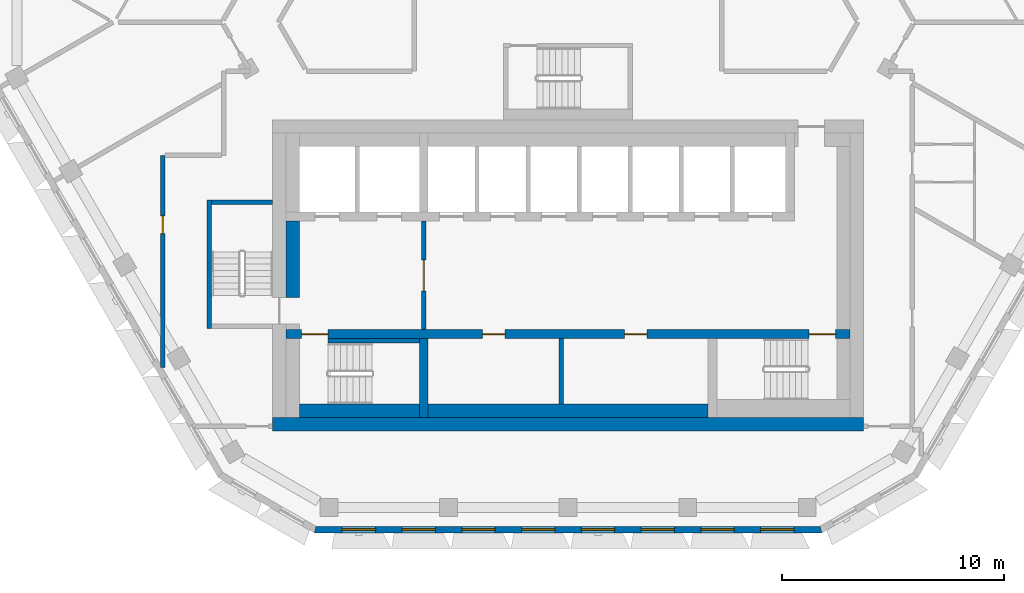
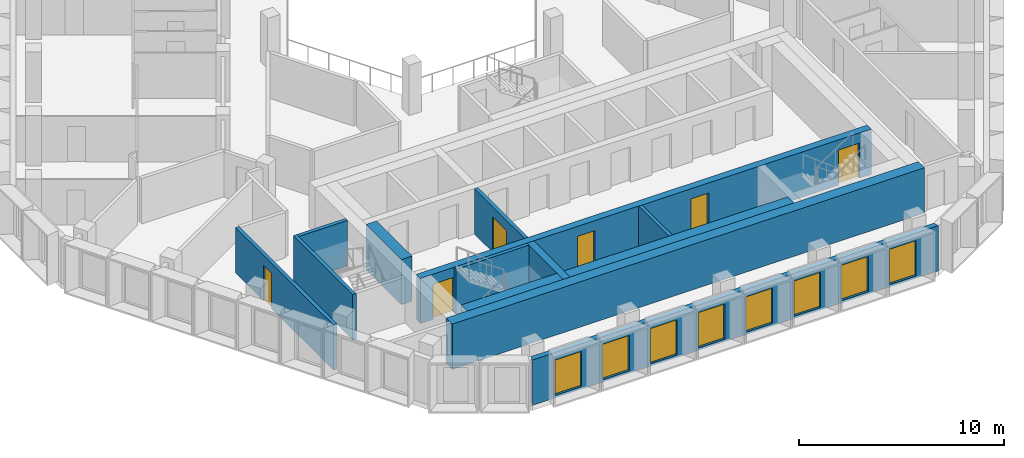
# One storey, part 3 of 17: 13 walls, 8 windows, 6 doors, 14 openings.
"""IFC4 building model written with IfcOpenShell, lengths in metres."""

from ifc_helpers import new_model, si_unit, direction, frame, frame_2d, origin, place, context, subcontext, project, spatial, polyline, rectangle, outline, extrude, material, layer, layer_set, type_object, element, fill, save


model = new_model("IFC4")

# Units and contexts
model_context = context("Model", 3, precision=1e-05, world=origin(), true_north=direction((0.0, 1.0)))
body_context = subcontext(model_context, "Body", "Model", "MODEL_VIEW")
ifc_project = project(units=[si_unit("LENGTHUNIT", "METRE"), si_unit("AREAUNIT", "SQUARE_METRE"), si_unit("VOLUMEUNIT", "CUBIC_METRE"), si_unit("PLANEANGLEUNIT", "RADIAN"), si_unit("MASSUNIT", "GRAM", prefix="KILO")], contexts=[model_context])

# Site, building, storey
site_placement = place(None, origin())
site = spatial("IfcSite", under=ifc_project, at=site_placement, CompositionType="ELEMENT")
building_placement = place(site_placement, origin())
building = spatial("IfcBuilding", under=site, at=building_placement, Name="Beryl Residences", CompositionType="ELEMENT")
storey_placement = place(building_placement, frame((0.0, 0.0, 178.199951171875)))
storey = spatial("IfcBuildingStorey", under=building, at=storey_placement, Name="L54", CompositionType="ELEMENT", Elevation=178.199951171875)

# Wall, openings, windows
ifc_material_1 = material(Name="Composite metal panel with mineral wool insulation")
ifc_layer_1 = layer(ifc_material_1, 0.300048828125)
ifc_layer_set_1 = layer_set([ifc_layer_1], Name="ES1 pale metal composite panel wall 300 mm")
wall_type_1 = type_object("IfcWallType", Name="ES1 pale metal composite panel wall 300 mm", PredefinedType="SOLIDWALL", material=ifc_layer_set_1)
wall_1_placement = place(storey_placement, frame((-11.430908203125, -23.449951171875, 0.0), z_axis=(0.0, 0.0, 1.0), x_axis=(1.0, 0.0, 0.0)))
wall_1 = element("IfcWall", 1, at=wall_1_placement, inside=storey, type_object=wall_type_1, Name="ES1 external wall L54 S", PredefinedType="SOLIDWALL", context=body_context, shape_type="SweptSolid", body=[
    extrude(outline(polyline([(0.0, -0.14990234375), (22.86181640625, -0.14990234375), (22.781494140625, 0.14990234375), (0.080322265625, 0.14990234375), (0.0, -0.14990234375)])), origin(), (0.0, 0.0, 1.0), 2.699951171875),
])
opening_1_placement = place(wall_1_placement, frame((1.260009765625, 0.0, 0.14990234375)))
opening_1 = element("IfcOpeningElement", 2, at=opening_1_placement, cuts=wall_1, Name="Opening W1", PredefinedType="OPENING", context=body_context, shape_type="SweptSolid", body=[
    extrude(rectangle(XDim=1.5, YDim=2.10009765625, at=frame_2d((0.75, 1.050048828125))), frame((0.0, 0.159912109375, 0.0), z_axis=(0.0, -1.0, 0.0), x_axis=(1.0, 0.0, 0.0)), (0.0, 0.0, 1.0), 0.320068359375),
])
opening_2_placement = place(wall_1_placement, frame((3.951904296875, 0.0, 0.14990234375)))
opening_2 = element("IfcOpeningElement", 3, at=opening_2_placement, cuts=wall_1, Name="Opening W1", PredefinedType="OPENING", context=body_context, shape_type="SweptSolid", body=[
    extrude(rectangle(XDim=1.5, YDim=2.10009765625, at=frame_2d((0.75, 1.050048828125))), frame((0.0, 0.159912109375, 0.0), z_axis=(0.0, -1.0, 0.0), x_axis=(1.0, 0.0, 0.0)), (0.0, 0.0, 1.0), 0.320068359375),
])
opening_3_placement = place(wall_1_placement, frame((6.64404296875, 0.0, 0.14990234375)))
opening_3 = element("IfcOpeningElement", 4, at=opening_3_placement, cuts=wall_1, Name="Opening W1", PredefinedType="OPENING", context=body_context, shape_type="SweptSolid", body=[
    extrude(rectangle(XDim=1.5, YDim=2.10009765625, at=frame_2d((0.75, 1.050048828125))), frame((0.0, 0.159912109375, 0.0), z_axis=(0.0, -1.0, 0.0), x_axis=(1.0, 0.0, 0.0)), (0.0, 0.0, 1.0), 0.320068359375),
])
opening_4_placement = place(wall_1_placement, frame((9.3359375, 0.0, 0.14990234375)))
opening_4 = element("IfcOpeningElement", 5, at=opening_4_placement, cuts=wall_1, Name="Opening W1", PredefinedType="OPENING", context=body_context, shape_type="SweptSolid", body=[
    extrude(rectangle(XDim=1.5, YDim=2.10009765625, at=frame_2d((0.75, 1.050048828125))), frame((0.0, 0.159912109375, 0.0), z_axis=(0.0, -1.0, 0.0), x_axis=(1.0, 0.0, 0.0)), (0.0, 0.0, 1.0), 0.320068359375),
])
opening_5_placement = place(wall_1_placement, frame((12.028076171875, 0.0, 0.14990234375)))
opening_5 = element("IfcOpeningElement", 6, at=opening_5_placement, cuts=wall_1, Name="Opening W1", PredefinedType="OPENING", context=body_context, shape_type="SweptSolid", body=[
    extrude(rectangle(XDim=1.5, YDim=2.10009765625, at=frame_2d((0.75, 1.050048828125))), frame((0.0, 0.159912109375, 0.0), z_axis=(0.0, -1.0, 0.0), x_axis=(1.0, 0.0, 0.0)), (0.0, 0.0, 1.0), 0.320068359375),
])
opening_6_placement = place(wall_1_placement, frame((14.719970703125, 0.0, 0.14990234375)))
opening_6 = element("IfcOpeningElement", 7, at=opening_6_placement, cuts=wall_1, Name="Opening W1", PredefinedType="OPENING", context=body_context, shape_type="SweptSolid", body=[
    extrude(rectangle(XDim=1.5, YDim=2.10009765625, at=frame_2d((0.75, 1.050048828125))), frame((0.0, 0.159912109375, 0.0), z_axis=(0.0, -1.0, 0.0), x_axis=(1.0, 0.0, 0.0)), (0.0, 0.0, 1.0), 0.320068359375),
])
opening_7_placement = place(wall_1_placement, frame((17.412109375, 0.0, 0.14990234375)))
opening_7 = element("IfcOpeningElement", 8, at=opening_7_placement, cuts=wall_1, Name="Opening W1", PredefinedType="OPENING", context=body_context, shape_type="SweptSolid", body=[
    extrude(rectangle(XDim=1.5, YDim=2.10009765625, at=frame_2d((0.75, 1.050048828125))), frame((0.0, 0.159912109375, 0.0), z_axis=(0.0, -1.0, 0.0), x_axis=(1.0, 0.0, 0.0)), (0.0, 0.0, 1.0), 0.320068359375),
])
opening_8_placement = place(wall_1_placement, frame((20.10400390625, 0.0, 0.14990234375)))
opening_8 = element("IfcOpeningElement", 9, at=opening_8_placement, cuts=wall_1, Name="Opening W1", PredefinedType="OPENING", context=body_context, shape_type="SweptSolid", body=[
    extrude(rectangle(XDim=1.5, YDim=2.10009765625, at=frame_2d((0.75, 1.050048828125))), frame((0.0, 0.159912109375, 0.0), z_axis=(0.0, -1.0, 0.0), x_axis=(1.0, 0.0, 0.0)), (0.0, 0.0, 1.0), 0.320068359375),
])
ifc_material_2 = material(Name="Aluminium and clear glass", Category="aluminium")
window_type = type_object("IfcWindowType", Name="W1 cell window 1500 x 2100 mm", PartitioningType="SINGLE_PANEL", PredefinedType="WINDOW", material=ifc_material_2)
window_1_placement = place(opening_1_placement, origin())
window_1 = element("IfcWindow", 10, at=window_1_placement, inside=storey, type_object=window_type, Name="W1 window L54 S 1", OverallHeight=2.10009765625, OverallWidth=1.5, PartitioningType="SINGLE_PANEL", PredefinedType="WINDOW", context=body_context, shape_type="SweptSolid", body=[
    extrude(rectangle(XDim=1.5, YDim=2.10009765625, at=frame_2d((0.75, 1.050048828125))), frame((0.0, 0.030029296875, 0.0), z_axis=(0.0, -1.0, 0.0), x_axis=(1.0, 0.0, 0.0)), (0.0, 0.0, 1.0), 0.06005859375),
])
fill(opening_1, window_1)
window_2_placement = place(opening_2_placement, origin())
window_2 = element("IfcWindow", 11, at=window_2_placement, inside=storey, type_object=window_type, Name="W1 window L54 S 2", OverallHeight=2.10009765625, OverallWidth=1.5, PartitioningType="SINGLE_PANEL", PredefinedType="WINDOW", context=body_context, shape_type="SweptSolid", body=[
    extrude(rectangle(XDim=1.5, YDim=2.10009765625, at=frame_2d((0.75, 1.050048828125))), frame((0.0, 0.030029296875, 0.0), z_axis=(0.0, -1.0, 0.0), x_axis=(1.0, 0.0, 0.0)), (0.0, 0.0, 1.0), 0.06005859375),
])
fill(opening_2, window_2)
window_3_placement = place(opening_3_placement, origin())
window_3 = element("IfcWindow", 12, at=window_3_placement, inside=storey, type_object=window_type, Name="W1 window L54 S 3", OverallHeight=2.10009765625, OverallWidth=1.5, PartitioningType="SINGLE_PANEL", PredefinedType="WINDOW", context=body_context, shape_type="SweptSolid", body=[
    extrude(rectangle(XDim=1.5, YDim=2.10009765625, at=frame_2d((0.75, 1.050048828125))), frame((0.0, 0.030029296875, 0.0), z_axis=(0.0, -1.0, 0.0), x_axis=(1.0, 0.0, 0.0)), (0.0, 0.0, 1.0), 0.06005859375),
])
fill(opening_3, window_3)
window_4_placement = place(opening_4_placement, origin())
window_4 = element("IfcWindow", 13, at=window_4_placement, inside=storey, type_object=window_type, Name="W1 window L54 S 4", OverallHeight=2.10009765625, OverallWidth=1.5, PartitioningType="SINGLE_PANEL", PredefinedType="WINDOW", context=body_context, shape_type="SweptSolid", body=[
    extrude(rectangle(XDim=1.5, YDim=2.10009765625, at=frame_2d((0.75, 1.050048828125))), frame((0.0, 0.030029296875, 0.0), z_axis=(0.0, -1.0, 0.0), x_axis=(1.0, 0.0, 0.0)), (0.0, 0.0, 1.0), 0.06005859375),
])
fill(opening_4, window_4)
window_5_placement = place(opening_5_placement, origin())
window_5 = element("IfcWindow", 14, at=window_5_placement, inside=storey, type_object=window_type, Name="W1 window L54 S 5", OverallHeight=2.10009765625, OverallWidth=1.5, PartitioningType="SINGLE_PANEL", PredefinedType="WINDOW", context=body_context, shape_type="SweptSolid", body=[
    extrude(rectangle(XDim=1.5, YDim=2.10009765625, at=frame_2d((0.75, 1.050048828125))), frame((0.0, 0.030029296875, 0.0), z_axis=(0.0, -1.0, 0.0), x_axis=(1.0, 0.0, 0.0)), (0.0, 0.0, 1.0), 0.06005859375),
])
fill(opening_5, window_5)
window_6_placement = place(opening_6_placement, origin())
window_6 = element("IfcWindow", 15, at=window_6_placement, inside=storey, type_object=window_type, Name="W1 window L54 S 6", OverallHeight=2.10009765625, OverallWidth=1.5, PartitioningType="SINGLE_PANEL", PredefinedType="WINDOW", context=body_context, shape_type="SweptSolid", body=[
    extrude(rectangle(XDim=1.5, YDim=2.10009765625, at=frame_2d((0.75, 1.050048828125))), frame((0.0, 0.030029296875, 0.0), z_axis=(0.0, -1.0, 0.0), x_axis=(1.0, 0.0, 0.0)), (0.0, 0.0, 1.0), 0.06005859375),
])
fill(opening_6, window_6)
window_7_placement = place(opening_7_placement, origin())
window_7 = element("IfcWindow", 16, at=window_7_placement, inside=storey, type_object=window_type, Name="W1 window L54 S 7", OverallHeight=2.10009765625, OverallWidth=1.5, PartitioningType="SINGLE_PANEL", PredefinedType="WINDOW", context=body_context, shape_type="SweptSolid", body=[
    extrude(rectangle(XDim=1.5, YDim=2.10009765625, at=frame_2d((0.75, 1.050048828125))), frame((0.0, 0.030029296875, 0.0), z_axis=(0.0, -1.0, 0.0), x_axis=(1.0, 0.0, 0.0)), (0.0, 0.0, 1.0), 0.06005859375),
])
fill(opening_7, window_7)
window_8_placement = place(opening_8_placement, origin())
window_8 = element("IfcWindow", 17, at=window_8_placement, inside=storey, type_object=window_type, Name="W1 window L54 S 8", OverallHeight=2.10009765625, OverallWidth=1.5, PartitioningType="SINGLE_PANEL", PredefinedType="WINDOW", context=body_context, shape_type="SweptSolid", body=[
    extrude(rectangle(XDim=1.5, YDim=2.10009765625, at=frame_2d((0.75, 1.050048828125))), frame((0.0, 0.030029296875, 0.0), z_axis=(0.0, -1.0, 0.0), x_axis=(1.0, 0.0, 0.0)), (0.0, 0.0, 1.0), 0.06005859375),
])
fill(opening_8, window_8)

# Wall, opening, door
ifc_material_3 = material(Name="Concrete masonry", Category="masonry")
ifc_layer_2 = layer(ifc_material_3, 0.199951171875)
ifc_layer_set_2 = layer_set([ifc_layer_2], Name="PT13 lobby wall 200 mm")
wall_type_2 = type_object("IfcWallType", Name="PT13 lobby wall 200 mm", PredefinedType="PARTITIONING", material=ifc_layer_set_2)
wall_2_placement = place(storey_placement, frame((-6.5, -14.449951171875, 0.0), z_axis=(0.0, 0.0, 1.0), x_axis=(0.0, 1.0, 0.0)))
wall_2 = element("IfcWall", 18, at=wall_2_placement, inside=storey, type_object=wall_type_2, Name="Lobby wall 12", PredefinedType="PARTITIONING", context=body_context, shape_type="SweptSolid", body=[
    extrude(rectangle(XDim=4.89990234375, YDim=0.199951171875, at=frame_2d((2.449951171875, 0.0))), origin(), (0.0, 0.0, 1.0), 2.699951171875),
])
opening_9_placement = place(wall_2_placement, frame((3.14990234375, 0.0, 0.0), z_axis=(0.0, 0.0, 1.0), x_axis=(-1.0, 0.0, 0.0)))
opening_9 = element("IfcOpeningElement", 19, at=opening_9_placement, cuts=wall_2, Name="Opening FD-FFL", PredefinedType="OPENING", context=body_context, shape_type="SweptSolid", body=[
    extrude(rectangle(XDim=1.39990234375, YDim=2.10009765625, at=frame_2d((0.699951171875, 1.050048828125))), frame((0.0, 0.10986328125, 0.0), z_axis=(0.0, -1.0, 0.0), x_axis=(1.0, 0.0, 0.0)), (0.0, 0.0, 1.0), 0.219970703125),
])
ifc_material_4 = material(Name="Steel door leaf in steel frame", Category="steel")
door_type_1 = type_object("IfcDoorType", Name="D5 lobby door 1400 x 2100 mm", OperationType="DOUBLE_DOOR_SINGLE_SWING", PredefinedType="DOOR", material=ifc_material_4)
door_1_placement = place(opening_9_placement, origin())
door_1 = element("IfcDoor", 20, at=door_1_placement, inside=storey, type_object=door_type_1, Name="Door FD-FFL L54 001", OperationType="DOUBLE_DOOR_SINGLE_SWING", OverallHeight=2.10009765625, OverallWidth=1.39990234375, PredefinedType="DOOR", context=body_context, shape_type="SweptSolid", body=[
    extrude(rectangle(XDim=1.39990234375, YDim=2.10009765625, at=frame_2d((0.699951171875, 1.050048828125))), frame((0.0, 0.02490234375, 0.0), z_axis=(0.0, -1.0, 0.0), x_axis=(1.0, 0.0, 0.0)), (0.0, 0.0, 1.0), 0.050048828125),
])
fill(opening_9, door_1)

# Wall
ifc_material_5 = material(Name="Concrete masonry", Category="masonry")
ifc_layer_3 = layer(ifc_material_5, 0.60009765625)
ifc_layer_set_3 = layer_set([ifc_layer_3], Name="PT13-600 lobby wall 600 mm")
wall_type_3 = type_object("IfcWallType", Name="PT13-600 lobby wall 600 mm", PredefinedType="PARTITIONING", material=ifc_layer_set_3)
wall_3_placement = place(storey_placement, frame((-12.39990234375, -13.0, 0.0), z_axis=(0.0, 0.0, 1.0), x_axis=(0.0, 1.0, 0.0)))
element("IfcWall", 21, at=wall_3_placement, inside=storey, type_object=wall_type_3, Name="Lobby wall 06", PredefinedType="PARTITIONING", context=body_context, shape_type="SweptSolid", body=[
    extrude(rectangle(XDim=3.449951171875, YDim=0.60009765625, at=frame_2d((1.72509765625, 0.0))), origin(), (0.0, 0.0, 1.0), 2.699951171875),
])

# Wall, opening, door
ifc_material_6 = material(Name="Double stud gypsum board wall")
ifc_layer_4 = layer(ifc_material_6, 0.199951171875)
ifc_layer_set_4 = layer_set([ifc_layer_4], Name="PT4 corridor wall 200 mm double stud")
wall_type_4 = type_object("IfcWallType", Name="PT4 corridor wall 200 mm double stud", PredefinedType="PARTITIONING", material=ifc_layer_set_4)
wall_4_placement = place(storey_placement, frame((-18.25, -16.152099609375, 0.0), z_axis=(0.0, 0.0, 1.0), x_axis=(0.0, 1.0, 0.0)))
wall_4 = element("IfcWall", 22, at=wall_4_placement, inside=storey, type_object=wall_type_4, Name="Wall PT4 L54 026", PredefinedType="PARTITIONING", context=body_context, shape_type="SweptSolid", body=[
    extrude(rectangle(XDim=9.551025390625, YDim=0.199951171875, at=frame_2d((4.775390625, 0.0))), origin(), (0.0, 0.0, 1.0), 2.699951171875),
])
opening_10_placement = place(wall_4_placement, frame((6.02587890625, 0.0, 0.0)))
opening_10 = element("IfcOpeningElement", 23, at=opening_10_placement, cuts=wall_4, Name="Opening D1419", PredefinedType="OPENING", context=body_context, shape_type="SweptSolid", body=[
    extrude(rectangle(XDim=0.800048828125, YDim=2.10009765625, at=frame_2d((0.39990234375, 1.050048828125))), frame((0.0, 0.10986328125, 0.0), z_axis=(0.0, -1.0, 0.0), x_axis=(1.0, 0.0, 0.0)), (0.0, 0.0, 1.0), 0.219970703125),
])
ifc_material_7 = material(Name="Timber door leaf", Category="wood")
door_type_2 = type_object("IfcDoorType", Name="D3 bathroom door 800 x 2100 mm", OperationType="SINGLE_SWING_LEFT", PredefinedType="DOOR", material=ifc_material_7)
door_2_placement = place(opening_10_placement, origin())
door_2 = element("IfcDoor", 24, at=door_2_placement, inside=storey, type_object=door_type_2, Name="Door D1419 L54 001", OperationType="SINGLE_SWING_LEFT", OverallHeight=2.10009765625, OverallWidth=0.800048828125, PredefinedType="DOOR", context=body_context, shape_type="SweptSolid", body=[
    extrude(rectangle(XDim=0.800048828125, YDim=2.10009765625, at=frame_2d((0.39990234375, 1.050048828125))), frame((0.0, 0.02490234375, 0.0), z_axis=(0.0, -1.0, 0.0), x_axis=(1.0, 0.0, 0.0)), (0.0, 0.0, 1.0), 0.050048828125),
])
fill(opening_10, door_2)

# Walls
ifc_material_8 = material(Name="Concrete C40/50", Category="concrete")
ifc_layer_5 = layer(ifc_material_8, 0.199951171875)
ifc_layer_set_5 = layer_set([ifc_layer_5], Name="PT5 stair enclosure wall 200 mm reinforced concrete C40/50")
wall_type_5 = type_object("IfcWallType", Name="PT5 stair enclosure wall 200 mm reinforced concrete C40/50", PredefinedType="SOLIDWALL", material=ifc_layer_set_5)
wall_5_placement = place(storey_placement, frame((-16.14990234375, -14.39990234375, 0.0), z_axis=(0.0, 0.0, 1.0), x_axis=(0.0, 1.0, 0.0)))
element("IfcWall", 25, at=wall_5_placement, inside=storey, type_object=wall_type_5, Name="Stair wall 01", PredefinedType="SOLIDWALL", context=body_context, shape_type="SweptSolid", body=[
    extrude(rectangle(XDim=5.7998046875, YDim=0.199951171875, at=frame_2d((2.89990234375, 0.0))), origin(), (0.0, 0.0, 1.0), 2.699951171875),
])
wall_6_placement = place(storey_placement, frame((-16.050048828125, -8.699951171875, 0.0), z_axis=(0.0, 0.0, 1.0), x_axis=(1.0, 0.0, 0.0)))
element("IfcWall", 26, at=wall_6_placement, inside=storey, type_object=wall_type_5, Name="Stair wall 03", PredefinedType="SOLIDWALL", context=body_context, shape_type="SweptSolid", body=[
    extrude(rectangle(XDim=2.75, YDim=0.199951171875, at=frame_2d((1.375, 0.0))), origin(), (0.0, 0.0, 1.0), 2.699951171875),
])
wall_7_placement = place(storey_placement, frame((-10.800048828125, -14.949951171875, 0.0), z_axis=(0.0, 0.0, 1.0), x_axis=(1.0, 0.0, 0.0)))
element("IfcWall", 27, at=wall_7_placement, inside=storey, type_object=wall_type_5, Name="Stair wall 10", PredefinedType="SOLIDWALL", context=body_context, shape_type="SweptSolid", body=[
    extrude(rectangle(XDim=4.10009765625, YDim=0.199951171875, at=frame_2d((2.050048828125, 0.0))), origin(), (0.0, 0.0, 1.0), 2.699951171875),
])
ifc_material_9 = material(Name="Concrete C40/50", Category="concrete")
ifc_layer_6 = layer(ifc_material_9, 0.60009765625)
ifc_layer_set_6 = layer_set([ifc_layer_6], Name="PT5-600 stair enclosure wall 600 mm")
wall_type_6 = type_object("IfcWallType", Name="PT5-600 stair enclosure wall 600 mm", PredefinedType="SOLIDWALL", material=ifc_layer_set_6)
wall_8_placement = place(storey_placement, frame((-12.10009765625, -18.10009765625, 0.0), z_axis=(0.0, 0.0, 1.0), x_axis=(1.0, 0.0, 0.0)))
element("IfcWall", 28, at=wall_8_placement, inside=storey, type_object=wall_type_6, Name="Stair wall 08", PredefinedType="SOLIDWALL", context=body_context, shape_type="SweptSolid", body=[
    extrude(rectangle(XDim=5.400146484375, YDim=0.60009765625, at=frame_2d((2.7001953125, 0.0))), origin(), (0.0, 0.0, 1.0), 2.699951171875),
])
ifc_material_10 = material(Name="Concrete masonry", Category="masonry")
ifc_layer_7 = layer(ifc_material_10, 0.199951171875)
ifc_layer_set_7 = layer_set([ifc_layer_7], Name="PT8-200 service room wall 200 mm")
wall_type_7 = type_object("IfcWallType", Name="PT8-200 service room wall 200 mm", PredefinedType="PARTITIONING", material=ifc_layer_set_7)
wall_9_placement = place(storey_placement, frame((-0.300048828125, -17.800048828125, 0.0), z_axis=(0.0, 0.0, 1.0), x_axis=(0.0, 1.0, 0.0)))
element("IfcWall", 29, at=wall_9_placement, inside=storey, type_object=wall_type_7, Name="Core room wall 17", PredefinedType="PARTITIONING", context=body_context, shape_type="SweptSolid", body=[
    extrude(rectangle(XDim=2.949951171875, YDim=0.199951171875, at=frame_2d((1.47509765625, 0.0))), origin(), (0.0, 0.0, 1.0), 2.699951171875),
])
ifc_material_11 = material(Name="Concrete masonry", Category="masonry")
ifc_layer_8 = layer(ifc_material_11, 0.60009765625)
ifc_layer_set_8 = layer_set([ifc_layer_8], Name="PT8-600 service room wall 600 mm")
wall_type_8 = type_object("IfcWallType", Name="PT8-600 service room wall 600 mm", PredefinedType="PARTITIONING", material=ifc_layer_set_8)
wall_10_placement = place(storey_placement, frame((-6.300048828125, -18.10009765625, 0.0), z_axis=(0.0, 0.0, 1.0), x_axis=(1.0, 0.0, 0.0)))
element("IfcWall", 30, at=wall_10_placement, inside=storey, type_object=wall_type_8, Name="Core room wall 13", PredefinedType="PARTITIONING", context=body_context, shape_type="SweptSolid", body=[
    extrude(rectangle(XDim=12.60009765625, YDim=0.60009765625, at=frame_2d((6.300048828125, 0.0))), origin(), (0.0, 0.0, 1.0), 2.699951171875),
])
ifc_material_12 = material(Name="Concrete C50/60", Category="concrete")
ifc_layer_9 = layer(ifc_material_12, 0.60009765625)
ifc_layer_set_9 = layer_set([ifc_layer_9], Name="SW4 core outer wall 600 mm C50/60")
wall_type_9 = type_object("IfcWallType", Name="SW4 core outer wall 600 mm C50/60", PredefinedType="SHEAR", material=ifc_layer_set_9)
wall_11_placement = place(storey_placement, frame((-13.300048828125, -18.699951171875, 0.0), z_axis=(0.0, 0.0, 1.0), x_axis=(1.0, 0.0, 0.0)))
element("IfcWall", 31, at=wall_11_placement, inside=storey, type_object=wall_type_9, Name="Core wall S L54", PredefinedType="SHEAR", context=body_context, shape_type="SweptSolid", body=[
    extrude(rectangle(XDim=26.60009765625, YDim=0.60009765625, at=frame_2d((13.300048828125, 0.0))), origin(), (0.0, 0.0, 1.0), 2.699951171875),
])

# Wall, openings, doors
ifc_material_13 = material(Name="Concrete C50/60", Category="concrete")
ifc_layer_10 = layer(ifc_material_13, 0.39990234375)
ifc_layer_set_10 = layer_set([ifc_layer_10], Name="SW9 core internal wall 400 mm C50/60")
wall_type_10 = type_object("IfcWallType", Name="SW9 core internal wall 400 mm C50/60", PredefinedType="SHEAR", material=ifc_layer_set_10)
wall_12_placement = place(storey_placement, frame((-12.699951171875, -14.64990234375, 0.0), z_axis=(0.0, 0.0, 1.0), x_axis=(1.0, 0.0, 0.0)))
wall_12 = element("IfcWall", 32, at=wall_12_placement, inside=storey, type_object=wall_type_10, Name="Core wall SP1 L54", PredefinedType="SHEAR", context=body_context, shape_type="SweptSolid", body=[
    extrude(rectangle(XDim=25.39990234375, YDim=0.39990234375, at=frame_2d((12.699951171875, 0.0))), origin(), (0.0, 0.0, 1.0), 2.699951171875),
])
opening_11_placement = place(wall_12_placement, frame((1.89990234375, 0.0, 0.0), z_axis=(0.0, 0.0, 1.0), x_axis=(-1.0, 0.0, 0.0)))
opening_11 = element("IfcOpeningElement", 33, at=opening_11_placement, cuts=wall_12, Name="Opening SD-1", PredefinedType="OPENING", context=body_context, shape_type="SweptSolid", body=[
    extrude(rectangle(XDim=1.199951171875, YDim=2.10009765625, at=frame_2d((0.60009765625, 1.050048828125))), frame((0.0, 0.2099609375, 0.0), z_axis=(0.0, -1.0, 0.0), x_axis=(1.0, 0.0, 0.0)), (0.0, 0.0, 1.0), 0.419921875),
])
opening_12_placement = place(wall_12_placement, frame((24.75, 0.0, 0.0), z_axis=(0.0, 0.0, 1.0), x_axis=(-1.0, 0.0, 0.0)))
opening_12 = element("IfcOpeningElement", 34, at=opening_12_placement, cuts=wall_12, Name="Opening SD-3", PredefinedType="OPENING", context=body_context, shape_type="SweptSolid", body=[
    extrude(rectangle(XDim=1.199951171875, YDim=2.10009765625, at=frame_2d((0.60009765625, 1.050048828125))), frame((0.0, 0.2099609375, 0.0), z_axis=(0.0, -1.0, 0.0), x_axis=(1.0, 0.0, 0.0)), (0.0, 0.0, 1.0), 0.419921875),
])
opening_13_placement = place(wall_12_placement, frame((9.85009765625, 0.0, 0.0), z_axis=(0.0, 0.0, 1.0), x_axis=(-1.0, 0.0, 0.0)))
opening_13 = element("IfcOpeningElement", 35, at=opening_13_placement, cuts=wall_12, Name="Opening CD-D-S1", PredefinedType="OPENING", context=body_context, shape_type="SweptSolid", body=[
    extrude(rectangle(XDim=1.0, YDim=2.10009765625, at=frame_2d((0.5, 1.050048828125))), frame((0.0, 0.2099609375, 0.0), z_axis=(0.0, -1.0, 0.0), x_axis=(1.0, 0.0, 0.0)), (0.0, 0.0, 1.0), 0.419921875),
])
opening_14_placement = place(wall_12_placement, frame((16.25, 0.0, 0.0), z_axis=(0.0, 0.0, 1.0), x_axis=(-1.0, 0.0, 0.0)))
opening_14 = element("IfcOpeningElement", 36, at=opening_14_placement, cuts=wall_12, Name="Opening CD-D-S2", PredefinedType="OPENING", context=body_context, shape_type="SweptSolid", body=[
    extrude(rectangle(XDim=1.0, YDim=2.10009765625, at=frame_2d((0.5, 1.050048828125))), frame((0.0, 0.2099609375, 0.0), z_axis=(0.0, -1.0, 0.0), x_axis=(1.0, 0.0, 0.0)), (0.0, 0.0, 1.0), 0.419921875),
])
ifc_material_14 = material(Name="Steel door leaf in steel frame", Category="steel")
door_type_3 = type_object("IfcDoorType", Name="D18 service room door 1000 x 2100 mm", OperationType="SINGLE_SWING_LEFT", PredefinedType="DOOR", material=ifc_material_14)
door_3_placement = place(opening_13_placement, origin())
door_3 = element("IfcDoor", 37, at=door_3_placement, inside=storey, type_object=door_type_3, Name="Door CD-D-S1 L54 001", OperationType="SINGLE_SWING_RIGHT", OverallHeight=2.10009765625, OverallWidth=1.0, PredefinedType="DOOR", context=body_context, shape_type="SweptSolid", body=[
    extrude(rectangle(XDim=1.0, YDim=2.10009765625, at=frame_2d((0.5, 1.050048828125))), frame((0.0, 0.02490234375, 0.0), z_axis=(0.0, -1.0, 0.0), x_axis=(1.0, 0.0, 0.0)), (0.0, 0.0, 1.0), 0.050048828125),
])
fill(opening_13, door_3)
door_4_placement = place(opening_14_placement, origin())
door_4 = element("IfcDoor", 38, at=door_4_placement, inside=storey, type_object=door_type_3, Name="Door CD-D-S2 L54 001", OperationType="SINGLE_SWING_LEFT", OverallHeight=2.10009765625, OverallWidth=1.0, PredefinedType="DOOR", context=body_context, shape_type="SweptSolid", body=[
    extrude(rectangle(XDim=1.0, YDim=2.10009765625, at=frame_2d((0.5, 1.050048828125))), frame((0.0, 0.02490234375, 0.0), z_axis=(0.0, -1.0, 0.0), x_axis=(1.0, 0.0, 0.0)), (0.0, 0.0, 1.0), 0.050048828125),
])
fill(opening_14, door_4)
ifc_material_15 = material(Name="Steel door leaf in steel frame", Category="steel")
door_type_4 = type_object("IfcDoorType", Name="D4 stair door 1200 x 2100 mm", OperationType="SINGLE_SWING_LEFT", PredefinedType="DOOR", material=ifc_material_15)
door_5_placement = place(opening_11_placement, origin())
door_5 = element("IfcDoor", 39, at=door_5_placement, inside=storey, type_object=door_type_4, Name="Door SD-1 L54 001", OperationType="SINGLE_SWING_RIGHT", OverallHeight=2.10009765625, OverallWidth=1.199951171875, PredefinedType="DOOR", context=body_context, shape_type="SweptSolid", body=[
    extrude(rectangle(XDim=1.199951171875, YDim=2.10009765625, at=frame_2d((0.60009765625, 1.050048828125))), frame((0.0, 0.02490234375, 0.0), z_axis=(0.0, -1.0, 0.0), x_axis=(1.0, 0.0, 0.0)), (0.0, 0.0, 1.0), 0.050048828125),
])
fill(opening_11, door_5)
door_6_placement = place(opening_12_placement, origin())
door_6 = element("IfcDoor", 40, at=door_6_placement, inside=storey, type_object=door_type_4, Name="Door SD-3 L54 001", OperationType="SINGLE_SWING_RIGHT", OverallHeight=2.10009765625, OverallWidth=1.199951171875, PredefinedType="DOOR", context=body_context, shape_type="SweptSolid", body=[
    extrude(rectangle(XDim=1.199951171875, YDim=2.10009765625, at=frame_2d((0.60009765625, 1.050048828125))), frame((0.0, 0.02490234375, 0.0), z_axis=(0.0, -1.0, 0.0), x_axis=(1.0, 0.0, 0.0)), (0.0, 0.0, 1.0), 0.050048828125),
])
fill(opening_12, door_6)

# Wall
wall_13_placement = place(storey_placement, frame((-6.5, -18.39990234375, 0.0), z_axis=(0.0, 0.0, 1.0), x_axis=(0.0, 1.0, 0.0)))
element("IfcWall", 41, at=wall_13_placement, inside=storey, type_object=wall_type_10, Name="Core wall XS1 L54", PredefinedType="SHEAR", context=body_context, shape_type="SweptSolid", body=[
    extrude(rectangle(XDim=3.5498046875, YDim=0.39990234375, at=frame_2d((1.77490234375, 0.0))), origin(), (0.0, 0.0, 1.0), 2.699951171875),
])

save(model, "model.ifc")
